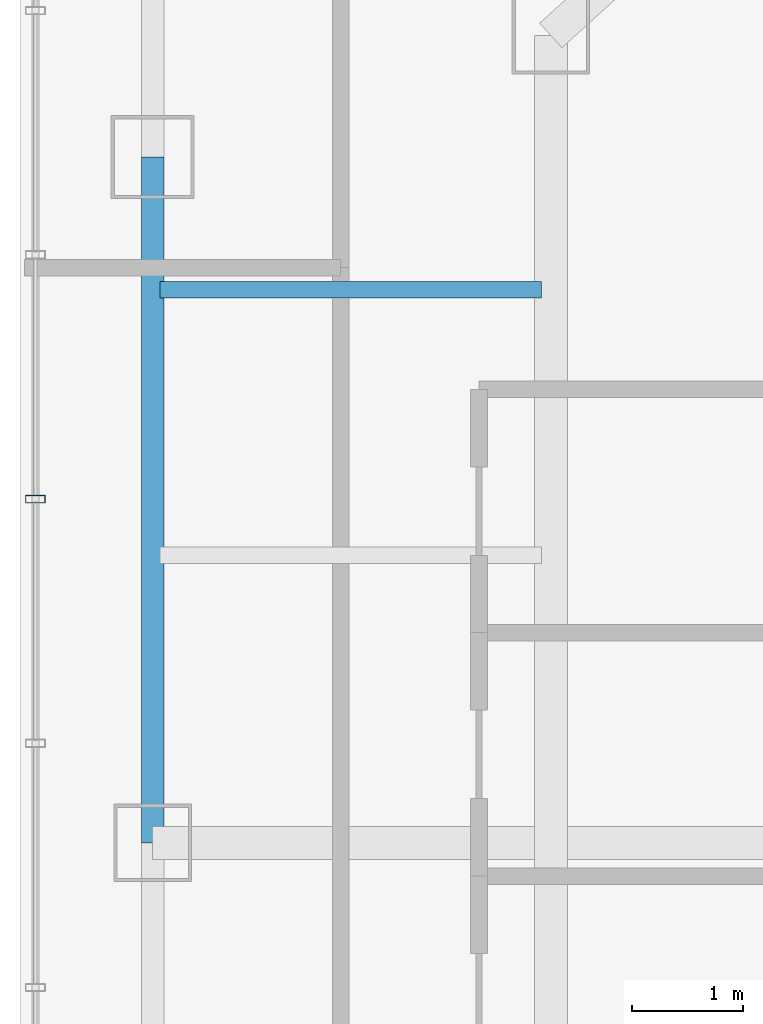
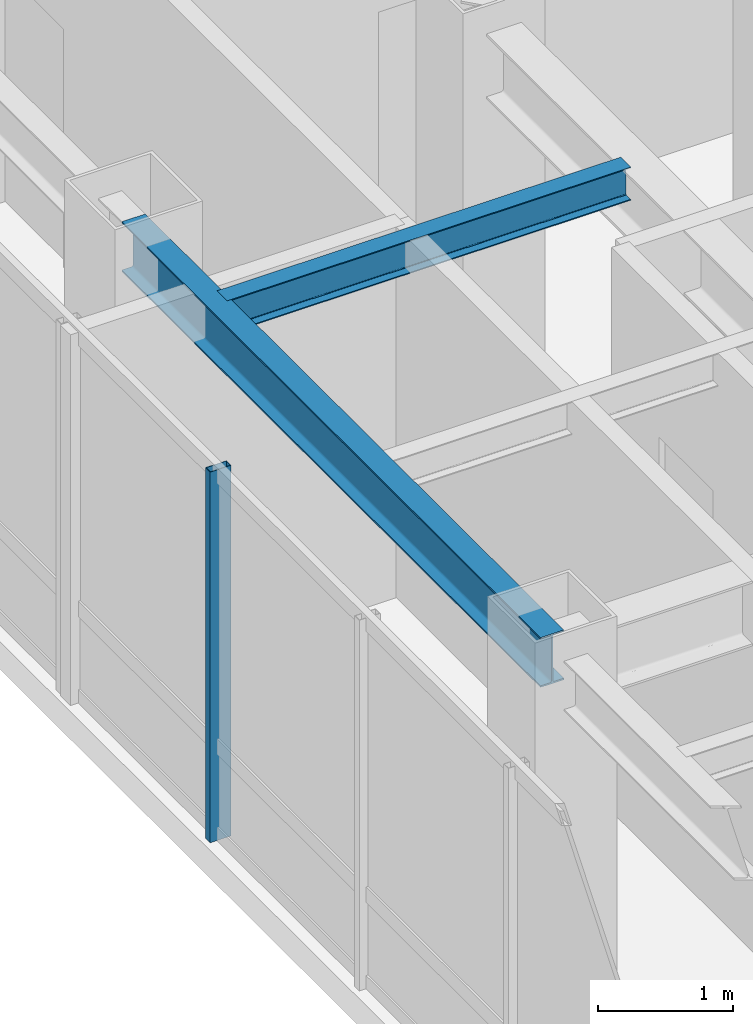
# One storey, part 8 of 24: 2 beams, 1 member, 1 element without a shape of its own.
"""IFC4 building model written with IfcOpenShell, lengths in metres."""

from ifc_helpers import new_model, si_unit, direction, frame, origin, origin_2d, place, context, subcontext, project, spatial, hollow_rectangle, i_section, extrude, material, layer, layer_set, material_profile, profile_set, type_object, element, aggregate, save


model = new_model("IFC4")

# Units and contexts
model_context = context("Model", 3, precision=1e-05, world=origin(), true_north=direction((0.0, 1.0)))
body_context = subcontext(model_context, "Body", "Model", "MODEL_VIEW")
ifc_project = project(units=[si_unit("LENGTHUNIT", "METRE"), si_unit("AREAUNIT", "SQUARE_METRE"), si_unit("VOLUMEUNIT", "CUBIC_METRE"), si_unit("PLANEANGLEUNIT", "RADIAN"), si_unit("MASSUNIT", "GRAM", prefix="KILO")], contexts=[model_context])

# Site, building, storey
site_placement = place(None, origin())
site = spatial("IfcSite", under=ifc_project, at=site_placement, CompositionType="ELEMENT")
building_placement = place(site_placement, origin())
building = spatial("IfcBuilding", under=site, at=building_placement, Name="Hatsunagi Terrace Concourse", CompositionType="ELEMENT")
storey_placement = place(building_placement, frame((0.0, 0.0, 202.35009765625)))
storey = spatial("IfcBuildingStorey", under=building, at=storey_placement, Name="L53", CompositionType="ELEMENT", Elevation=202.35009765625)

# Curtain wall, member
ifc_material_1 = material(Name="Anodised Aluminium Alloy 6063-T5", Category="aluminium")
ifc_layer = layer(ifc_material_1, 0.199951171875)
ifc_layer_set = layer_set([ifc_layer], Name="OfficeZone2_CW04")
curtain_wall_type = type_object("IfcCurtainWallType", Name="OfficeZone2_CW04", PredefinedType="NOTDEFINED", material=ifc_layer_set)
curtain_wall_placement = place(storey_placement, origin())
curtain_wall = element("IfcCurtainWall", 1, at=curtain_wall_placement, inside=storey, type_object=curtain_wall_type, Name="Unitised Curtain Wall CW-04 CW-L53-08", PredefinedType="NOTDEFINED")
ifc_material_2 = material(Name="Anodised Aluminium Alloy 6063-T5", Category="aluminium")
ifc_material_profile_1 = material_profile(ifc_material_2, hollow_rectangle(XDim=0.070068359375, YDim=0.179931640625, WallThickness=0.00390625, at=origin_2d()), Name="ALU-MUL-180x70x4")
ifc_profile_set_1 = profile_set([ifc_material_profile_1], Name="Anodised Aluminium Alloy 6063-T5")
member_type = type_object("IfcMemberType", Name="CurtainWallMullion_180x70", PredefinedType="MULLION", material=ifc_profile_set_1)
member_placement = place(storey_placement, frame((18.139892578125, 39.10791015625, 0.0), z_axis=(0.0, 0.0, 1.0), x_axis=(0.0, 1.0, 0.0)))
member = element("IfcMember", 2, at=member_placement, type_object=member_type, Name="Curtain Wall Mullion MUL-02", PredefinedType="MULLION", context=body_context, shape_type="SweptSolid", body=[
    extrude(hollow_rectangle(XDim=0.070068359375, YDim=0.179931640625, WallThickness=0.00390625, at=origin_2d()), origin(), (0.0, 0.0, 1.0), 3.349853515625),
])
aggregate(curtain_wall, [member])

# Beams
ifc_material_3 = material(Name="Steel SN490B", Category="steel")
ifc_material_profile_2 = material_profile(ifc_material_3, i_section(OverallWidth=0.14990234375, OverallDepth=0.300048828125, WebThickness=0.006591796875, FlangeThickness=0.009033203125, FilletRadius=0.010986328125, at=origin_2d()), Name="H-300x150x6.5x9")
ifc_profile_set_2 = profile_set([ifc_material_profile_2], Name="Steel SN490B")
beam_type_1 = type_object("IfcBeamType", Name="OfficeJoist_H_300x150", PredefinedType="JOIST", material=ifc_profile_set_2)
beam_1_placement = place(storey_placement, frame((19.264892578125, 41.0, 3.199951171875), z_axis=(1.0, 0.0, 0.0), x_axis=(0.0, 1.0, 0.0)))
element("IfcBeam", 3, at=beam_1_placement, inside=storey, type_object=beam_type_1, Name="Beam J-03 J-L53-W-19-410", PredefinedType="JOIST", context=body_context, shape_type="SweptSolid", body=[
    extrude(i_section(OverallWidth=0.14990234375, OverallDepth=0.300048828125, WebThickness=0.006591796875, FlangeThickness=0.009033203125, FilletRadius=0.010986328125, at=origin_2d()), origin(), (0.0, 0.0, 1.0), 3.4501953125),
])
ifc_material_4 = material(Name="Steel SN490B", Category="steel")
ifc_material_profile_3 = material_profile(ifc_material_4, i_section(OverallWidth=0.199951171875, OverallDepth=0.449951171875, WebThickness=0.009033203125, FlangeThickness=0.013916015625, FilletRadius=0.01611328125, at=origin_2d()), Name="H-450x200x9x14")
ifc_profile_set_3 = profile_set([ifc_material_profile_3], Name="Steel SN490B")
beam_type_2 = type_object("IfcBeamType", Name="PerimeterSpandrel_H_450x200", PredefinedType="SPANDREL", material=ifc_profile_set_3)
beam_2_placement = place(storey_placement, frame((19.199951171875, 36.0, 3.125), z_axis=(0.0, 1.0, 0.0), x_axis=(-1.0, 0.0, 0.0)))
element("IfcBeam", 4, at=beam_2_placement, inside=storey, type_object=beam_type_2, Name="Beam SP-02 BM-L53-NS-19-36", PredefinedType="SPANDREL", context=body_context, shape_type="SweptSolid", body=[
    extrude(i_section(OverallWidth=0.199951171875, OverallDepth=0.449951171875, WebThickness=0.009033203125, FlangeThickness=0.013916015625, FilletRadius=0.01611328125, at=origin_2d()), origin(), (0.0, 0.0, 1.0), 6.199951171875),
])

save(model, "model.ifc")
